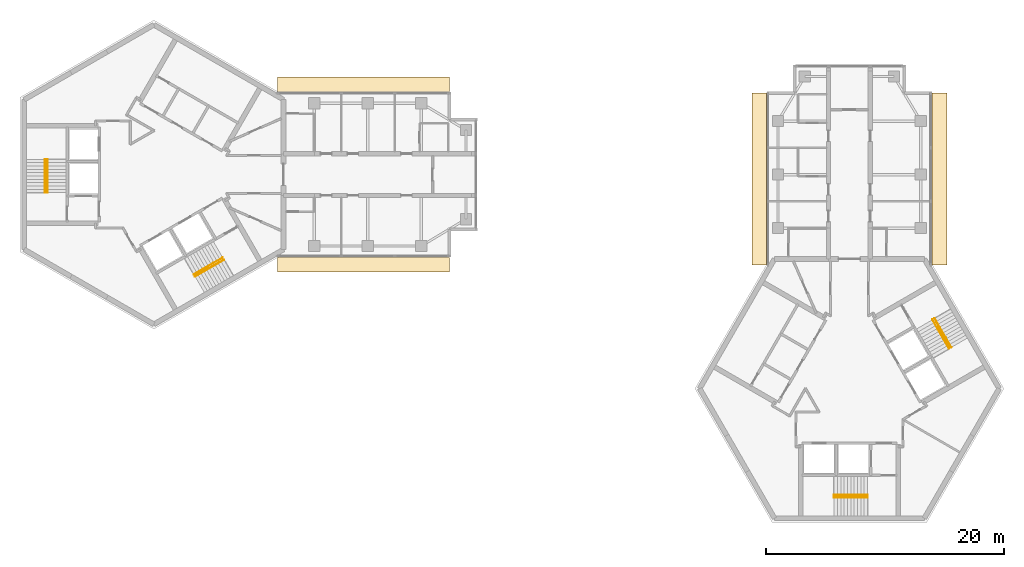
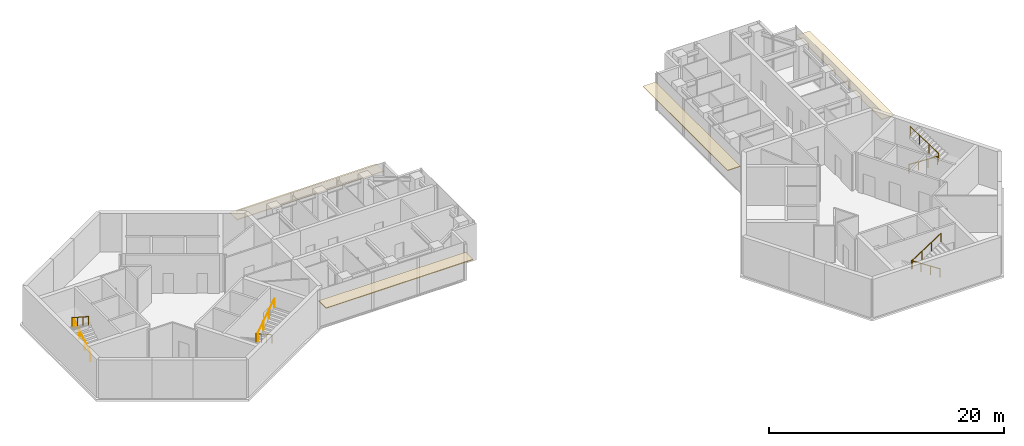
# One storey, part 11 of 11: 8 railings, 4 coverings.
"""IFC4 building model written with IfcOpenShell, lengths in metres."""

from ifc_helpers import new_model, si_unit, direction, frame, origin, origin_2d, place, context, subcontext, project, spatial, rectangle, circle, extrude, material, layer, layer_set, type_object, element, save


model = new_model("IFC4")

# Units and contexts
model_context = context("Model", 3, precision=1e-05, world=origin(), true_north=direction((0.0, 1.0)))
body_context = subcontext(model_context, "Body", "Model", "MODEL_VIEW")
ifc_project = project(units=[si_unit("LENGTHUNIT", "METRE"), si_unit("AREAUNIT", "SQUARE_METRE"), si_unit("VOLUMEUNIT", "CUBIC_METRE"), si_unit("PLANEANGLEUNIT", "RADIAN"), si_unit("MASSUNIT", "GRAM", prefix="KILO")], contexts=[model_context])

# Site, building, storey
site_placement = place(None, origin())
site = spatial("IfcSite", under=ifc_project, at=site_placement, CompositionType="ELEMENT")
building_placement = place(site_placement, origin())
building = spatial("IfcBuilding", under=site, at=building_placement, Name="Upepo Twin Towers", CompositionType="ELEMENT")
storey_placement = place(building_placement, frame((0.0, 0.0, 267.5)))
storey = spatial("IfcBuildingStorey", under=building, at=storey_placement, Name="L65", CompositionType="ELEMENT", Elevation=267.5)

# Coverings
ifc_material_1 = material(Name="Anodised aluminium, pale silver", Category="aluminium")
ifc_layer = layer(ifc_material_1, 0.080078125)
ifc_layer_set = layer_set([ifc_layer], Name="Brise-soleil blade 1250 pale aluminium")
covering_type = type_object("IfcCoveringType", Name="Brise-soleil blade 1250 pale aluminium", PredefinedType="USERDEFINED", material=ifc_layer_set)
for number, where, z_axis, x_axis, name in (
    (1, (17.61865234375, 7.590087890625, 2.909912109375), (0.0, 0.0, 1.0), (1.0, 0.0, 0.0), "T1 L65 wing A brise-soleil L"),
    (2, (17.61865234375, -7.590087890625, 2.909912109375), (0.0, 0.0, 1.0), (1.0, 0.0, 0.0), "T1 L65 wing A brise-soleil R"),
    (3, (50.909912109375, -0.38134765625, 2.909912109375), (0.0, 0.0, 1.0), (0.0, 1.0, 0.0), "T2 L65 wing A brise-soleil L"),
    (4, (66.090087890625, -0.38134765625, 2.909912109375), (0.0, 0.0, 1.0), (0.0, 1.0, 0.0), "T2 L65 wing A brise-soleil R"),
):
    element("IfcCovering", number, at=place(storey_placement, frame(where, z_axis=z_axis, x_axis=x_axis)), inside=storey, type_object=covering_type, Name=name, ObjectType="SUNSHADE", PredefinedType="USERDEFINED", context=body_context, shape_type="SweptSolid", body=[
        extrude(rectangle(XDim=14.462890625, YDim=1.25, at=origin_2d()), origin(), (0.0, 0.0, 1.0), 0.080078125),
    ])

# Railings
ifc_material_2 = material(Name="Stainless steel", Category="steel")
railing_type = type_object("IfcRailingType", Name="Stair handrail 900", PredefinedType="HANDRAIL", material=ifc_material_2)
railing_1_placement = place(storey_placement, frame((-8.949951171875, -1.52001953125, 0.181884765625)))
element("IfcRailing", 5, at=railing_1_placement, inside=storey, type_object=railing_type, Name="T1 stair S1 L65 handrail 1", PredefinedType="HANDRAIL", context=body_context, shape_type="SweptSolid", body=[
    extrude(circle(Radius=0.02392578125, at=origin_2d()), frame((0.0, 0.0, 0.8759765625), z_axis=(0.0, 0.838705829183, 0.544584733623), x_axis=(-1.0, 0.0, 0.0)), (0.0, 0.0, 1.0), 3.338623046875),
    extrude(circle(Radius=0.02099609375, at=origin_2d()), origin(), (0.0, 0.0, 1.0), 0.851806640625),
    extrude(circle(Radius=0.02099609375, at=origin_2d()), frame((0.0, 0.933349609375, 0.60595703125)), (0.0, 0.0, 1.0), 0.851806640625),
    extrude(circle(Radius=0.02099609375, at=origin_2d()), frame((0.0, 1.86669921875, 1.212158203125)), (0.0, 0.0, 1.0), 0.851806640625),
    extrude(circle(Radius=0.02099609375, at=origin_2d()), frame((0.0, 2.800048828125, 1.818115234375)), (0.0, 0.0, 1.0), 0.851806640625),
])
railing_2_placement = place(storey_placement, frame((-9.158447265625, 1.280029296875, 2.181884765625)))
element("IfcRailing", 6, at=railing_2_placement, inside=storey, type_object=railing_type, Name="T1 stair S1 L65 handrail 2", PredefinedType="HANDRAIL", context=body_context, shape_type="SweptSolid", body=[
    extrude(circle(Radius=0.02392578125, at=origin_2d()), frame((0.0, 0.0, 0.8759765625), z_axis=(0.0, -0.838705829183, 0.544584733623), x_axis=(1.0, 0.0, 0.0)), (0.0, 0.0, 1.0), 3.338623046875),
    extrude(circle(Radius=0.02099609375, at=origin_2d()), origin(), (0.0, 0.0, 1.0), 0.851806640625),
    extrude(circle(Radius=0.02099609375, at=origin_2d()), frame((0.0, -0.933349609375, 0.60595703125)), (0.0, 0.0, 1.0), 0.851806640625),
    extrude(circle(Radius=0.02099609375, at=origin_2d()), frame((0.0, -1.86669921875, 1.212158203125)), (0.0, 0.0, 1.0), 0.851806640625),
    extrude(circle(Radius=0.02099609375, at=origin_2d()), frame((0.0, -2.800048828125, 1.818115234375)), (0.0, 0.0, 1.0), 0.851806640625),
])
railing_3_placement = place(storey_placement, frame((5.791259765625, -6.990966796875, 0.181884765625)))
element("IfcRailing", 7, at=railing_3_placement, inside=storey, type_object=railing_type, Name="T1 stair S2 L65 handrail 1", PredefinedType="HANDRAIL", context=body_context, shape_type="SweptSolid", body=[
    extrude(circle(Radius=0.02392578125, at=origin_2d()), frame((0.0, 0.0, 0.8759765625), z_axis=(-0.726336304947, -0.419332699614, 0.544605966869), x_axis=(0.49998411664, -0.866034573852, 0.0)), (0.0, 0.0, 1.0), 3.33837890625),
    extrude(circle(Radius=0.02099609375, at=origin_2d()), origin(), (0.0, 0.0, 1.0), 0.851806640625),
    extrude(circle(Radius=0.02099609375, at=origin_2d()), frame((-0.808349609375, -0.466552734375, 0.60595703125)), (0.0, 0.0, 1.0), 0.851806640625),
    extrude(circle(Radius=0.02099609375, at=origin_2d()), frame((-1.616455078125, -0.933349609375, 1.212158203125)), (0.0, 0.0, 1.0), 0.851806640625),
    extrude(circle(Radius=0.02099609375, at=origin_2d()), frame((-2.4248046875, -1.39990234375, 1.818115234375)), (0.0, 0.0, 1.0), 0.851806640625),
])
railing_4_placement = place(storey_placement, frame((3.470703125, -8.5712890625, 2.181884765625)))
element("IfcRailing", 8, at=railing_4_placement, inside=storey, type_object=railing_type, Name="T1 stair S2 L65 handrail 2", PredefinedType="HANDRAIL", context=body_context, shape_type="SweptSolid", body=[
    extrude(circle(Radius=0.02392578125, at=origin_2d()), frame((0.0, 0.0, 0.8759765625), z_axis=(0.726336304947, 0.419332699614, 0.544605966869), x_axis=(-0.49998411664, 0.866034573852, 0.0)), (0.0, 0.0, 1.0), 3.33837890625),
    extrude(circle(Radius=0.02099609375, at=origin_2d()), origin(), (0.0, 0.0, 1.0), 0.851806640625),
    extrude(circle(Radius=0.02099609375, at=origin_2d()), frame((0.808349609375, 0.466552734375, 0.60595703125)), (0.0, 0.0, 1.0), 0.851806640625),
    extrude(circle(Radius=0.02099609375, at=origin_2d()), frame((1.616455078125, 0.933349609375, 1.212158203125)), (0.0, 0.0, 1.0), 0.851806640625),
    extrude(circle(Radius=0.02099609375, at=origin_2d()), frame((2.4248046875, 1.39990234375, 1.818115234375)), (0.0, 0.0, 1.0), 0.851806640625),
])
railing_5_placement = place(storey_placement, frame((60.02001953125, -26.949951171875, 0.181884765625)))
element("IfcRailing", 9, at=railing_5_placement, inside=storey, type_object=railing_type, Name="T2 stair S1 L65 handrail 1", PredefinedType="HANDRAIL", context=body_context, shape_type="SweptSolid", body=[
    extrude(circle(Radius=0.02392578125, at=origin_2d()), frame((0.0, 0.0, 0.8759765625), z_axis=(-0.838705829183, 0.0, 0.544584733623), x_axis=(0.0, -1.0, 0.0)), (0.0, 0.0, 1.0), 3.338623046875),
    extrude(circle(Radius=0.02099609375, at=origin_2d()), origin(), (0.0, 0.0, 1.0), 0.851806640625),
    extrude(circle(Radius=0.02099609375, at=origin_2d()), frame((-0.933349609375, 0.0, 0.60595703125)), (0.0, 0.0, 1.0), 0.851806640625),
    extrude(circle(Radius=0.02099609375, at=origin_2d()), frame((-1.86669921875, 0.0, 1.212158203125)), (0.0, 0.0, 1.0), 0.851806640625),
    extrude(circle(Radius=0.02099609375, at=origin_2d()), frame((-2.800048828125, 0.0, 1.818115234375)), (0.0, 0.0, 1.0), 0.851806640625),
])
railing_6_placement = place(storey_placement, frame((57.219970703125, -27.158447265625, 2.181884765625)))
element("IfcRailing", 10, at=railing_6_placement, inside=storey, type_object=railing_type, Name="T2 stair S1 L65 handrail 2", PredefinedType="HANDRAIL", context=body_context, shape_type="SweptSolid", body=[
    extrude(circle(Radius=0.02392578125, at=origin_2d()), frame((0.0, 0.0, 0.8759765625), z_axis=(0.838705829183, 0.0, 0.544584733623), x_axis=(0.0, 1.0, 0.0)), (0.0, 0.0, 1.0), 3.338623046875),
    extrude(circle(Radius=0.02099609375, at=origin_2d()), origin(), (0.0, 0.0, 1.0), 0.851806640625),
    extrude(circle(Radius=0.02099609375, at=origin_2d()), frame((0.933349609375, 0.0, 0.60595703125)), (0.0, 0.0, 1.0), 0.851806640625),
    extrude(circle(Radius=0.02099609375, at=origin_2d()), frame((1.86669921875, 0.0, 1.212158203125)), (0.0, 0.0, 1.0), 0.851806640625),
    extrude(circle(Radius=0.02099609375, at=origin_2d()), frame((2.800048828125, 0.0, 1.818115234375)), (0.0, 0.0, 1.0), 0.851806640625),
])
railing_7_placement = place(storey_placement, frame((65.490966796875, -12.208740234375, 0.181884765625)))
element("IfcRailing", 11, at=railing_7_placement, inside=storey, type_object=railing_type, Name="T2 stair S2 L65 handrail 1", PredefinedType="HANDRAIL", context=body_context, shape_type="SweptSolid", body=[
    extrude(circle(Radius=0.02392578125, at=origin_2d()), frame((0.0, 0.0, 0.8759765625), z_axis=(0.419332699614, -0.726336304947, 0.544605966869), x_axis=(0.866034573852, 0.49998411664, 0.0)), (0.0, 0.0, 1.0), 3.33837890625),
    extrude(circle(Radius=0.02099609375, at=origin_2d()), origin(), (0.0, 0.0, 1.0), 0.851806640625),
    extrude(circle(Radius=0.02099609375, at=origin_2d()), frame((0.466552734375, -0.808349609375, 0.60595703125)), (0.0, 0.0, 1.0), 0.851806640625),
    extrude(circle(Radius=0.02099609375, at=origin_2d()), frame((0.933349609375, -1.616455078125, 1.212158203125)), (0.0, 0.0, 1.0), 0.851806640625),
    extrude(circle(Radius=0.02099609375, at=origin_2d()), frame((1.39990234375, -2.4248046875, 1.818115234375)), (0.0, 0.0, 1.0), 0.851806640625),
])
railing_8_placement = place(storey_placement, frame((67.0712890625, -14.529296875, 2.181884765625)))
element("IfcRailing", 12, at=railing_8_placement, inside=storey, type_object=railing_type, Name="T2 stair S2 L65 handrail 2", PredefinedType="HANDRAIL", context=body_context, shape_type="SweptSolid", body=[
    extrude(circle(Radius=0.02392578125, at=origin_2d()), frame((0.0, 0.0, 0.8759765625), z_axis=(-0.419332699614, 0.726336304947, 0.544605966869), x_axis=(-0.866034573852, -0.49998411664, 0.0)), (0.0, 0.0, 1.0), 3.33837890625),
    extrude(circle(Radius=0.02099609375, at=origin_2d()), origin(), (0.0, 0.0, 1.0), 0.851806640625),
    extrude(circle(Radius=0.02099609375, at=origin_2d()), frame((-0.466552734375, 0.808349609375, 0.60595703125)), (0.0, 0.0, 1.0), 0.851806640625),
    extrude(circle(Radius=0.02099609375, at=origin_2d()), frame((-0.933349609375, 1.616455078125, 1.212158203125)), (0.0, 0.0, 1.0), 0.851806640625),
    extrude(circle(Radius=0.02099609375, at=origin_2d()), frame((-1.39990234375, 2.4248046875, 1.818115234375)), (0.0, 0.0, 1.0), 0.851806640625),
])

save(model, "model.ifc")
